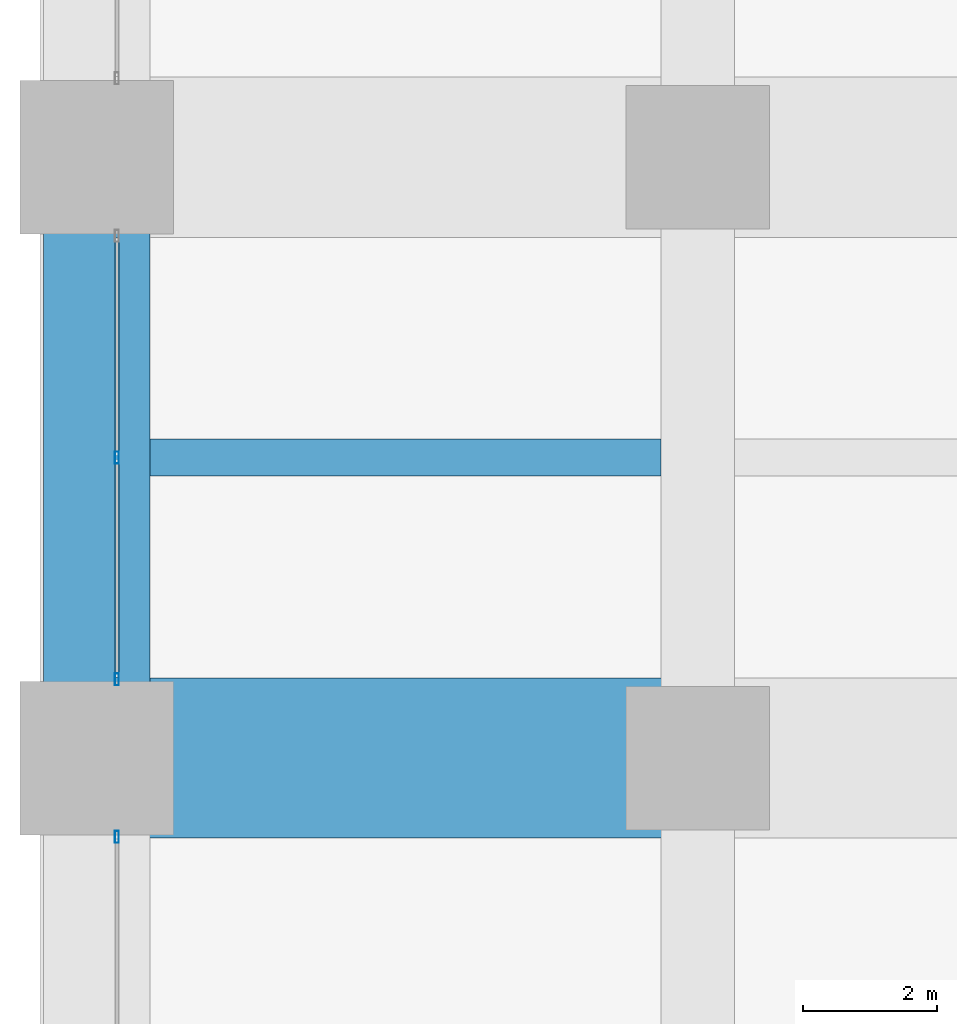
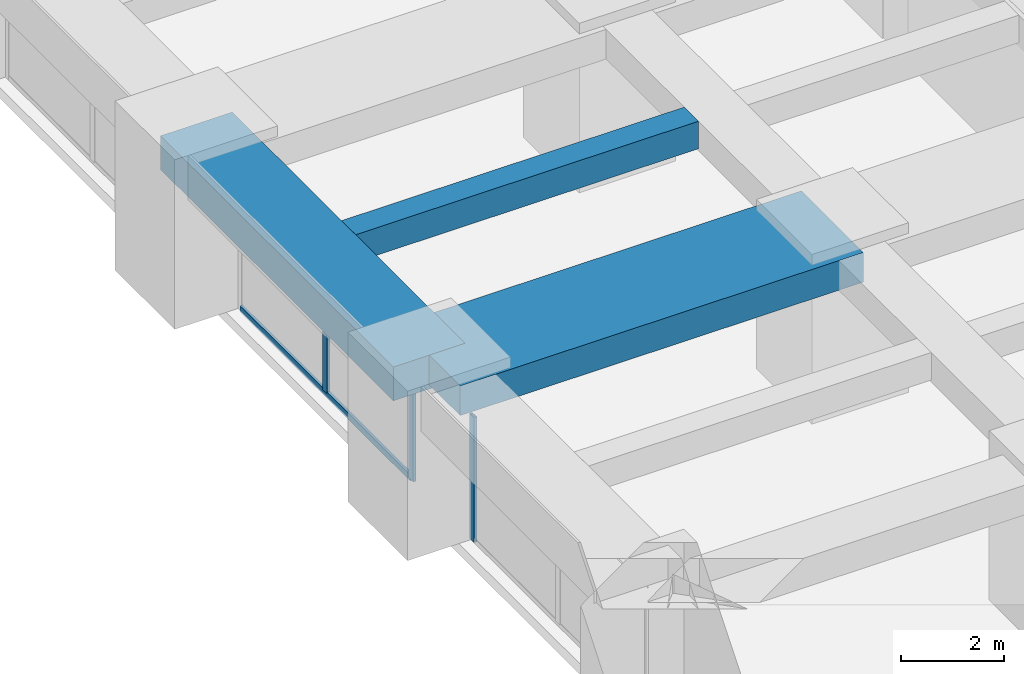
# One storey, part 8 of 43: 4 members, 3 beams, 2 elements without a shape of their own.
"""IFC4 building model written with IfcOpenShell, lengths in metres."""

from ifc_helpers import new_model, si_unit, direction, frame, origin, origin_2d, place, context, subcontext, project, spatial, rectangle, hollow_rectangle, extrude, material, material_profile, profile_set, type_object, element, aggregate, save


model = new_model("IFC4")

# Units and contexts
model_context = context("Model", 3, precision=1e-05, world=origin(), true_north=direction((0.0, 1.0)))
body_context = subcontext(model_context, "Body", "Model", "MODEL_VIEW")
ifc_project = project(units=[si_unit("LENGTHUNIT", "METRE"), si_unit("AREAUNIT", "SQUARE_METRE"), si_unit("VOLUMEUNIT", "CUBIC_METRE"), si_unit("PLANEANGLEUNIT", "RADIAN"), si_unit("MASSUNIT", "GRAM", prefix="KILO")], contexts=[model_context])

# Site, building, storey
site_placement = place(None, origin())
site = spatial("IfcSite", under=ifc_project, at=site_placement, CompositionType="ELEMENT")
building_placement = place(site_placement, origin())
building = spatial("IfcBuilding", under=site, at=building_placement, Name="Zorevar Civic Tower", CompositionType="ELEMENT")
storey_placement = place(building_placement, frame((0.0, 0.0, 67.800048828125)))
storey = spatial("IfcBuildingStorey", under=building, at=storey_placement, Name="L16", CompositionType="ELEMENT", Elevation=67.800048828125)

# Beams
ifc_material_1 = material(Name="Concrete C50/60", Category="concrete")
ifc_material_profile_1 = material_profile(ifc_material_1, rectangle(XDim=2.39990234375, YDim=0.699951171875, at=origin_2d()), Name="RC 2400x700")
ifc_profile_set_1 = profile_set([ifc_material_profile_1], Name="Concrete C50/60")
beam_type_1 = type_object("IfcBeamType", Name="Beam RC 2400x700", PredefinedType="BEAM", material=ifc_profile_set_1)
beam_1_placement = place(storey_placement, frame((0.0, 18.0, 3.39990234375), z_axis=(1.0, 0.0, 0.0), x_axis=(0.0, 1.0, 0.0)))
element("IfcBeam", 1, at=beam_1_placement, inside=storey, type_object=beam_type_1, Name="Girder L17", PredefinedType="BEAM", context=body_context, shape_type="SweptSolid", body=[
    extrude(rectangle(XDim=2.39990234375, YDim=0.699951171875, at=origin_2d()), origin(), (0.0, 0.0, 1.0), 9.0),
])
ifc_material_2 = material(Name="Concrete C50/60", Category="concrete")
ifc_material_profile_2 = material_profile(ifc_material_2, rectangle(XDim=0.550048828125, YDim=0.64990234375, at=origin_2d()), Name="RC 550x650")
ifc_profile_set_2 = profile_set([ifc_material_profile_2], Name="Concrete C50/60")
beam_type_2 = type_object("IfcBeamType", Name="Beam RC 550x650", PredefinedType="BEAM", material=ifc_profile_set_2)
beam_2_placement = place(storey_placement, frame((0.800048828125, 22.5, 3.425048828125), z_axis=(1.0, 0.0, 0.0), x_axis=(0.0, 1.0, 0.0)))
element("IfcBeam", 2, at=beam_2_placement, inside=storey, type_object=beam_type_2, Name="Secondary beam L17", PredefinedType="BEAM", context=body_context, shape_type="SweptSolid", body=[
    extrude(rectangle(XDim=0.550048828125, YDim=0.64990234375, at=origin_2d()), origin(), (0.0, 0.0, 1.0), 7.64990234375),
])

# Curtain wall, member
ifc_material_3 = material(Name="Dark grey solar-control glass in black aluminium frame", Category="aluminium")
curtain_wall_type = type_object("IfcCurtainWallType", Name="Curtain wall CW2 low zone", PredefinedType="NOTDEFINED", material=ifc_material_3)
curtain_wall_1_placement = place(storey_placement, origin())
curtain_wall_1 = element("IfcCurtainWall", 3, at=curtain_wall_1_placement, inside=storey, type_object=curtain_wall_type, Name="CW2 L16", PredefinedType="NOTDEFINED")
ifc_material_4 = material(Name="Aluminium, black anodised", Category="aluminium")
ifc_material_profile_3 = material_profile(ifc_material_4, hollow_rectangle(XDim=0.06005859375, YDim=0.179931640625, WallThickness=0.00390625, at=origin_2d()), Name="AL 180x60x4")
ifc_profile_set_3 = profile_set([ifc_material_profile_3], Name="Aluminium, black anodised")
member_type_1 = type_object("IfcMemberType", Name="CW2 mullion AL 180x60x4", PredefinedType="MULLION", material=ifc_profile_set_3)
member_1_placement = place(storey_placement, frame((0.300048828125, 16.820068359375, 0.0), z_axis=(0.0, 0.0, 1.0), x_axis=(-1.0, 0.0, 0.0)))
member_1 = element("IfcMember", 4, at=member_1_placement, type_object=member_type_1, Name="CW2 mullion 3", PredefinedType="MULLION", context=body_context, shape_type="SweptSolid", body=[
    extrude(hollow_rectangle(XDim=0.06005859375, YDim=0.179931640625, WallThickness=0.00390625, at=origin_2d()), origin(), (0.0, 0.0, 1.0), 2.949951171875),
])
aggregate(curtain_wall_1, [member_1])

# Curtain wall, members
curtain_wall_2_placement = place(storey_placement, origin())
curtain_wall_2 = element("IfcCurtainWall", 5, at=curtain_wall_2_placement, inside=storey, type_object=curtain_wall_type, Name="CW2 L16", PredefinedType="NOTDEFINED")
member_2_placement = place(storey_placement, frame((0.300048828125, 19.179931640625, 0.0), z_axis=(0.0, 0.0, 1.0), x_axis=(-1.0, 0.0, 0.0)))
member_2 = element("IfcMember", 6, at=member_2_placement, type_object=member_type_1, Name="CW2 mullion 1", PredefinedType="MULLION", context=body_context, shape_type="SweptSolid", body=[
    extrude(hollow_rectangle(XDim=0.06005859375, YDim=0.179931640625, WallThickness=0.00390625, at=origin_2d()), origin(), (0.0, 0.0, 1.0), 2.949951171875),
])
member_3_placement = place(storey_placement, frame((0.300048828125, 22.5, 0.06005859375), z_axis=(0.0, 0.0, 1.0), x_axis=(-1.0, 0.0, 0.0)))
member_3 = element("IfcMember", 7, at=member_3_placement, type_object=member_type_1, Name="CW2 mullion 2", PredefinedType="MULLION", context=body_context, shape_type="SweptSolid", body=[
    extrude(hollow_rectangle(XDim=0.06005859375, YDim=0.179931640625, WallThickness=0.00390625, at=origin_2d()), origin(), (0.0, 0.0, 1.0), 2.889892578125),
])
ifc_material_5 = material(Name="Aluminium, black anodised", Category="aluminium")
ifc_material_profile_4 = material_profile(ifc_material_5, hollow_rectangle(XDim=0.06005859375, YDim=0.14990234375, WallThickness=0.00390625, at=origin_2d()), Name="AL 150x60x4")
ifc_profile_set_4 = profile_set([ifc_material_profile_4], Name="Aluminium, black anodised")
member_type_2 = type_object("IfcMemberType", Name="CW2 transom AL 150x60x4", PredefinedType="USERDEFINED", material=ifc_profile_set_4)
member_4_placement = place(storey_placement, frame((0.300048828125, 19.2099609375, 0.030029296875), z_axis=(0.0, 1.0, 0.0), x_axis=(-1.0, 0.0, 0.0)))
member_4 = element("IfcMember", 8, at=member_4_placement, type_object=member_type_2, Name="CW2 sill transom", ObjectType="TRANSOM", PredefinedType="USERDEFINED", context=body_context, shape_type="SweptSolid", body=[
    extrude(hollow_rectangle(XDim=0.06005859375, YDim=0.14990234375, WallThickness=0.00390625, at=origin_2d()), origin(), (0.0, 0.0, 1.0), 6.580078125),
])
aggregate(curtain_wall_2, [member_2, member_3, member_4])

# Beam
ifc_material_6 = material(Name="Concrete C50/60", Category="concrete")
ifc_material_profile_5 = material_profile(ifc_material_6, rectangle(XDim=1.60009765625, YDim=0.800048828125, at=origin_2d()), Name="RC 1600x800")
ifc_profile_set_5 = profile_set([ifc_material_profile_5], Name="Concrete C50/60")
beam_type_3 = type_object("IfcBeamType", Name="Edge beam RC 1600x800", PredefinedType="SPANDREL", material=ifc_profile_set_5)
beam_3_placement = place(storey_placement, frame((0.0, 18.0, 3.349853515625), z_axis=(0.0, 1.0, 0.0), x_axis=(-1.0, 0.0, 0.0)))
element("IfcBeam", 9, at=beam_3_placement, inside=storey, type_object=beam_type_3, Name="Edge beam L17", PredefinedType="SPANDREL", context=body_context, shape_type="SweptSolid", body=[
    extrude(rectangle(XDim=1.60009765625, YDim=0.800048828125, at=origin_2d()), origin(), (0.0, 0.0, 1.0), 9.0),
])

save(model, "model.ifc")
